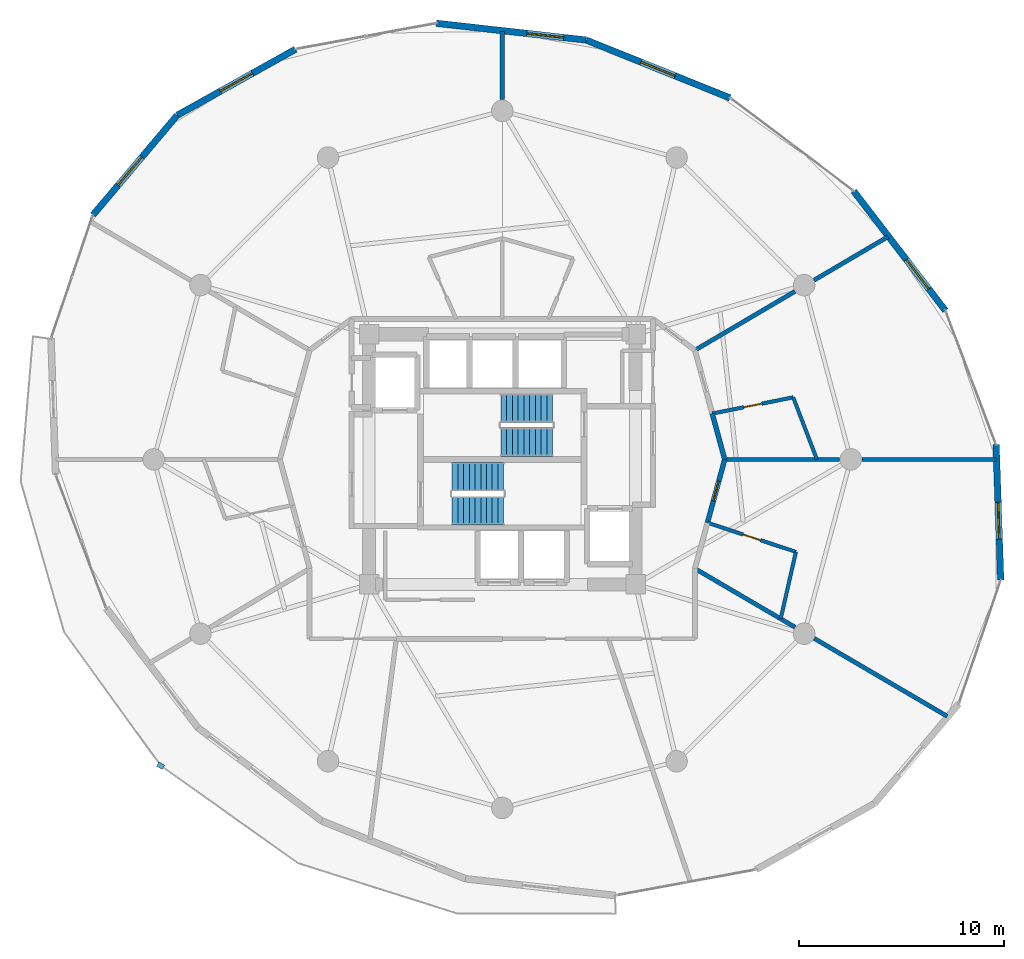
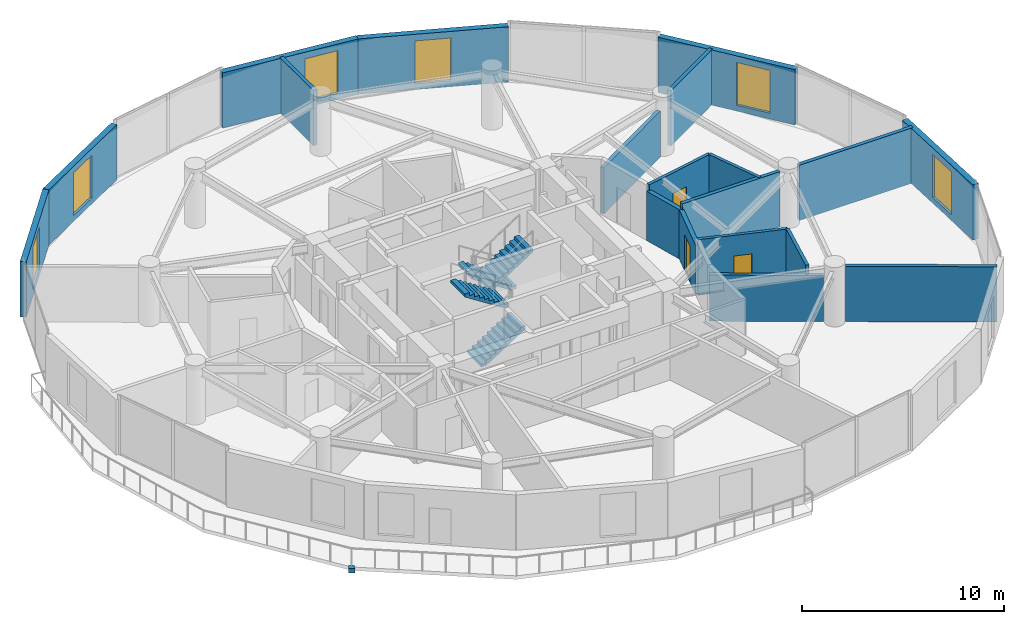
# One storey, part 23 of 25: 19 walls, 6 windows, 4 stair flights, 3 doors, 1 discrete accessory, 9 openings, 2 elements without a shape of their own.
"""IFC4 building model written with IfcOpenShell, lengths in metres."""

from ifc_helpers import new_model, si_unit, direction, frame, frame_2d, origin, origin_2d, place, context, subcontext, project, spatial, polyline, rectangle, outline, extrude, material, layer, layer_set, type_object, element, fill, aggregate, save


model = new_model("IFC4")

# Units and contexts
model_context = context("Model", 3, precision=1e-05, world=origin(), true_north=direction((0.0, 1.0)))
body_context = subcontext(model_context, "Body", "Model", "MODEL_VIEW")
ifc_project = project(units=[si_unit("LENGTHUNIT", "METRE"), si_unit("AREAUNIT", "SQUARE_METRE"), si_unit("VOLUMEUNIT", "CUBIC_METRE"), si_unit("PLANEANGLEUNIT", "RADIAN"), si_unit("MASSUNIT", "GRAM", prefix="KILO")], contexts=[model_context])

# Site, building, storey
site_placement = place(None, origin())
site = spatial("IfcSite", under=ifc_project, at=site_placement, CompositionType="ELEMENT")
building_placement = place(site_placement, origin())
building = spatial("IfcBuilding", under=site, at=building_placement, Name="Solvirekh Grand Hotel", CompositionType="ELEMENT")
storey_placement = place(building_placement, frame((0.0, 0.0, 102.60009765625)))
storey = spatial("IfcBuildingStorey", under=building, at=storey_placement, Name="L25", CompositionType="ELEMENT", Elevation=102.60009765625)

# Wall, opening, window
ifc_material_1 = material(Name="Precast concrete C45/55", Category="concrete")
ifc_layer_1 = layer(ifc_material_1, 0.320068359375)
ifc_layer_set_1 = layer_set([ifc_layer_1], Name="Precast concrete C45/55")
wall_type_1 = type_object("IfcWallType", Name="ExtLobbyWall_RC320", PredefinedType="SOLIDWALL", material=ifc_layer_set_1)
wall_1_placement = place(storey_placement, frame((24.0859375, 0.722900390625, 0.0), z_axis=(0.0, 0.0, 1.0), x_axis=(0.034040106065, -0.999420467661, 0.0)))
wall_1 = element("IfcWall", 1, at=wall_1_placement, inside=storey, type_object=wall_type_1, Name="L25 exterior structural wall chord 2", PredefinedType="SOLIDWALL", context=body_context, shape_type="SweptSolid", body=[
    extrude(rectangle(XDim=6.61279296875, YDim=0.320068359375, at=frame_2d((3.306396484375, 0.0))), origin(), (0.0, 0.0, 1.0), 3.349853515625),
])
opening_1_placement = place(wall_1_placement, frame((2.81689453125, 0.0, 0.35009765625)))
opening_1 = element("IfcOpeningElement", 2, at=opening_1_placement, cuts=wall_1, Name="Opening W02", PredefinedType="OPENING", context=body_context, shape_type="SweptSolid", body=[
    extrude(rectangle(XDim=1.800048828125, YDim=2.60009765625, at=frame_2d((0.89990234375, 1.300048828125))), frame((0.0, 0.169921875, 0.0), z_axis=(0.0, -1.0, 0.0), x_axis=(1.0, 0.0, 0.0)), (0.0, 0.0, 1.0), 0.340087890625),
])
ifc_material_2 = material(Name="Low-E Tinted Bronze Laminated Glass", Category="aluminium")
window_type = type_object("IfcWindowType", Name="Win_LobbyExt_1800X2600", PartitioningType="SINGLE_PANEL", PredefinedType="WINDOW", material=ifc_material_2)
window_1_placement = place(opening_1_placement, origin())
window_1 = element("IfcWindow", 3, at=window_1_placement, inside=storey, type_object=window_type, Name="L25 panoramic bronze-framed window 2", OverallHeight=2.60009765625, OverallWidth=1.800048828125, PartitioningType="SINGLE_PANEL", PredefinedType="WINDOW", context=body_context, shape_type="SweptSolid", body=[
    extrude(rectangle(XDim=1.800048828125, YDim=2.60009765625, at=frame_2d((0.89990234375, 1.300048828125))), frame((0.0, 0.030029296875, 0.0), z_axis=(0.0, -1.0, 0.0), x_axis=(1.0, 0.0, 0.0)), (0.0, 0.0, 1.0), 0.06005859375),
])
fill(opening_1, window_1)

wall_2_placement = place(storey_placement, frame((17.14208984375, 13.089111328125, 0.0), z_axis=(0.0, 0.0, 1.0), x_axis=(0.608831916989, -0.793299247986, 0.0)))
wall_2 = element("IfcWall", 4, at=wall_2_placement, inside=storey, type_object=wall_type_1, Name="L25 exterior structural wall chord 4", PredefinedType="SOLIDWALL", context=body_context, shape_type="SweptSolid", body=[
    extrude(rectangle(XDim=7.3466796875, YDim=0.320068359375, at=frame_2d((3.67333984375, 0.0))), origin(), (0.0, 0.0, 1.0), 3.349853515625),
])
opening_2_placement = place(wall_2_placement, frame((4.215087890625, 0.0, 0.35009765625)))
opening_2 = element("IfcOpeningElement", 5, at=opening_2_placement, cuts=wall_2, Name="Opening W02", PredefinedType="OPENING", context=body_context, shape_type="SweptSolid", body=[
    extrude(rectangle(XDim=1.800048828125, YDim=2.60009765625, at=frame_2d((0.89990234375, 1.300048828125))), frame((0.0, 0.169921875, 0.0), z_axis=(0.0, -1.0, 0.0), x_axis=(1.0, 0.0, 0.0)), (0.0, 0.0, 1.0), 0.340087890625),
])
window_2_placement = place(opening_2_placement, origin())
window_2 = element("IfcWindow", 6, at=window_2_placement, inside=storey, type_object=window_type, Name="L25 panoramic bronze-framed window 4", OverallHeight=2.60009765625, OverallWidth=1.800048828125, PartitioningType="SINGLE_PANEL", PredefinedType="WINDOW", context=body_context, shape_type="SweptSolid", body=[
    extrude(rectangle(XDim=1.800048828125, YDim=2.60009765625, at=frame_2d((0.89990234375, 1.300048828125))), frame((0.0, 0.030029296875, 0.0), z_axis=(0.0, -1.0, 0.0), x_axis=(1.0, 0.0, 0.0)), (0.0, 0.0, 1.0), 0.06005859375),
])
fill(opening_2, window_2)

wall_3_placement = place(storey_placement, frame((4.090087890625, 20.455078125, 0.0), z_axis=(0.0, 0.0, 1.0), x_axis=(0.927795739468, -0.373088549577, 0.0)))
wall_3 = element("IfcWall", 7, at=wall_3_placement, inside=storey, type_object=wall_type_1, Name="L25 exterior structural wall chord 6", PredefinedType="SOLIDWALL", context=body_context, shape_type="SweptSolid", body=[
    extrude(rectangle(XDim=7.55859375, YDim=0.320068359375, at=frame_2d((3.779296875, 0.0))), origin(), (0.0, 0.0, 1.0), 3.349853515625),
])
opening_3_placement = place(wall_3_placement, frame((2.87890625, 0.0, 0.35009765625)))
opening_3 = element("IfcOpeningElement", 8, at=opening_3_placement, cuts=wall_3, Name="Opening W02", PredefinedType="OPENING", context=body_context, shape_type="SweptSolid", body=[
    extrude(rectangle(XDim=1.800048828125, YDim=2.60009765625, at=frame_2d((0.89990234375, 1.300048828125))), frame((0.0, 0.169921875, 0.0), z_axis=(0.0, -1.0, 0.0), x_axis=(1.0, 0.0, 0.0)), (0.0, 0.0, 1.0), 0.340087890625),
])
window_3_placement = place(opening_3_placement, origin())
window_3 = element("IfcWindow", 9, at=window_3_placement, inside=storey, type_object=window_type, Name="L25 panoramic bronze-framed window 6", OverallHeight=2.60009765625, OverallWidth=1.800048828125, PartitioningType="SINGLE_PANEL", PredefinedType="WINDOW", context=body_context, shape_type="SweptSolid", body=[
    extrude(rectangle(XDim=1.800048828125, YDim=2.60009765625, at=frame_2d((0.89990234375, 1.300048828125))), frame((0.0, 0.030029296875, 0.0), z_axis=(0.0, -1.0, 0.0), x_axis=(1.0, 0.0, 0.0)), (0.0, 0.0, 1.0), 0.06005859375),
])
fill(opening_3, window_3)

wall_4_placement = place(storey_placement, frame((-3.2109375, 21.27294921875, 0.0), z_axis=(0.0, 0.0, 1.0), x_axis=(0.993784044115, -0.111325081016, 0.0)))
wall_4 = element("IfcWall", 10, at=wall_4_placement, inside=storey, type_object=wall_type_1, Name="L25 exterior structural wall chord 7", PredefinedType="SOLIDWALL", context=body_context, shape_type="SweptSolid", body=[
    extrude(rectangle(XDim=7.3466796875, YDim=0.320068359375, at=frame_2d((3.67333984375, 0.0))), origin(), (0.0, 0.0, 1.0), 3.349853515625),
])
opening_4_placement = place(wall_4_placement, frame((4.44091796875, 0.0, 0.35009765625)))
opening_4 = element("IfcOpeningElement", 11, at=opening_4_placement, cuts=wall_4, Name="Opening W02", PredefinedType="OPENING", context=body_context, shape_type="SweptSolid", body=[
    extrude(rectangle(XDim=1.800048828125, YDim=2.60009765625, at=frame_2d((0.89990234375, 1.300048828125))), frame((0.0, 0.169921875, 0.0), z_axis=(0.0, -1.0, 0.0), x_axis=(1.0, 0.0, 0.0)), (0.0, 0.0, 1.0), 0.340087890625),
])
window_4_placement = place(opening_4_placement, origin())
window_4 = element("IfcWindow", 12, at=window_4_placement, inside=storey, type_object=window_type, Name="L25 panoramic bronze-framed window 7", OverallHeight=2.60009765625, OverallWidth=1.800048828125, PartitioningType="SINGLE_PANEL", PredefinedType="WINDOW", context=body_context, shape_type="SweptSolid", body=[
    extrude(rectangle(XDim=1.800048828125, YDim=2.60009765625, at=frame_2d((0.89990234375, 1.300048828125))), frame((0.0, 0.030029296875, 0.0), z_axis=(0.0, -1.0, 0.0), x_axis=(1.0, 0.0, 0.0)), (0.0, 0.0, 1.0), 0.06005859375),
])
fill(opening_4, window_4)

wall_5_placement = place(storey_placement, frame((-15.85888671875, 16.784912109375, 0.0), z_axis=(0.0, 0.0, 1.0), x_axis=(0.873166276034, 0.487422459882, 0.0)))
wall_5 = element("IfcWall", 13, at=wall_5_placement, inside=storey, type_object=wall_type_1, Name="L25 exterior structural wall chord 9", PredefinedType="SOLIDWALL", context=body_context, shape_type="SweptSolid", body=[
    extrude(rectangle(XDim=6.612548828125, YDim=0.320068359375, at=frame_2d((3.30615234375, 0.0))), origin(), (0.0, 0.0, 1.0), 3.349853515625),
])
opening_5_placement = place(wall_5_placement, frame((2.406005859375, 0.0, 0.35009765625)))
opening_5 = element("IfcOpeningElement", 14, at=opening_5_placement, cuts=wall_5, Name="Opening W02", PredefinedType="OPENING", context=body_context, shape_type="SweptSolid", body=[
    extrude(rectangle(XDim=1.800048828125, YDim=2.60009765625, at=frame_2d((0.89990234375, 1.300048828125))), frame((0.0, 0.169921875, 0.0), z_axis=(0.0, -1.0, 0.0), x_axis=(1.0, 0.0, 0.0)), (0.0, 0.0, 1.0), 0.340087890625),
])
window_5_placement = place(opening_5_placement, origin())
window_5 = element("IfcWindow", 15, at=window_5_placement, inside=storey, type_object=window_type, Name="L25 panoramic bronze-framed window 9", OverallHeight=2.60009765625, OverallWidth=1.800048828125, PartitioningType="SINGLE_PANEL", PredefinedType="WINDOW", context=body_context, shape_type="SweptSolid", body=[
    extrude(rectangle(XDim=1.800048828125, YDim=2.60009765625, at=frame_2d((0.89990234375, 1.300048828125))), frame((0.0, 0.030029296875, 0.0), z_axis=(0.0, -1.0, 0.0), x_axis=(1.0, 0.0, 0.0)), (0.0, 0.0, 1.0), 0.06005859375),
])
fill(opening_5, window_5)

wall_6_placement = place(storey_placement, frame((-19.968994140625, 11.9189453125, 0.0), z_axis=(0.0, 0.0, 1.0), x_axis=(0.645278763483, 0.763947195425, 0.0)))
wall_6 = element("IfcWall", 16, at=wall_6_placement, inside=storey, type_object=wall_type_1, Name="L25 exterior structural wall chord 10", PredefinedType="SOLIDWALL", context=body_context, shape_type="SweptSolid", body=[
    extrude(rectangle(XDim=6.369384765625, YDim=0.320068359375, at=frame_2d((3.1845703125, 0.0))), origin(), (0.0, 0.0, 1.0), 3.349853515625),
])
opening_6_placement = place(wall_6_placement, frame((1.905029296875, 0.0, 0.35009765625)))
opening_6 = element("IfcOpeningElement", 17, at=opening_6_placement, cuts=wall_6, Name="Opening W02", PredefinedType="OPENING", context=body_context, shape_type="SweptSolid", body=[
    extrude(rectangle(XDim=1.800048828125, YDim=2.60009765625, at=frame_2d((0.89990234375, 1.300048828125))), frame((0.0, 0.169921875, 0.0), z_axis=(0.0, -1.0, 0.0), x_axis=(1.0, 0.0, 0.0)), (0.0, 0.0, 1.0), 0.340087890625),
])
window_6_placement = place(opening_6_placement, origin())
window_6 = element("IfcWindow", 18, at=window_6_placement, inside=storey, type_object=window_type, Name="L25 panoramic bronze-framed window 10", OverallHeight=2.60009765625, OverallWidth=1.800048828125, PartitioningType="SINGLE_PANEL", PredefinedType="WINDOW", context=body_context, shape_type="SweptSolid", body=[
    extrude(rectangle(XDim=1.800048828125, YDim=2.60009765625, at=frame_2d((0.89990234375, 1.300048828125))), frame((0.0, 0.030029296875, 0.0), z_axis=(0.0, -1.0, 0.0), x_axis=(1.0, 0.0, 0.0)), (0.0, 0.0, 1.0), 0.06005859375),
])
fill(opening_6, window_6)

# Wall, opening, door
ifc_material_3 = material(Name="Acoustic Gypsum Partition Assembly")
ifc_layer_2 = layer(ifc_material_3, 0.239990234375)
ifc_layer_set_2 = layer_set([ifc_layer_2], Name="Acoustic Gypsum Partition Assembly")
wall_type_2 = type_object("IfcWallType", Name="Part_Corridor_240", PredefinedType="PARTITIONING", material=ifc_layer_set_2)
wall_7_placement = place(storey_placement, frame((10.007080078125, -3.089111328125, 0.0), z_axis=(0.0, 0.0, 1.0), x_axis=(0.263272237376, 0.964721581093, 0.0)))
wall_7 = element("IfcWall", 19, at=wall_7_placement, inside=storey, type_object=wall_type_2, Name="L25 Deluxe Guestroom 2705 entrance wall", PredefinedType="PARTITIONING", context=body_context, shape_type="SweptSolid", body=[
    extrude(rectangle(XDim=3.2021484375, YDim=0.239990234375, at=frame_2d((1.60107421875, 0.0))), origin(), (0.0, 0.0, 1.0), 2.98486328125),
])
opening_7_placement = place(wall_7_placement, frame((1.10107421875, 0.0, 0.0)))
opening_7 = element("IfcOpeningElement", 20, at=opening_7_placement, cuts=wall_7, Name="Opening D07", PredefinedType="OPENING", context=body_context, shape_type="SweptSolid", body=[
    extrude(rectangle(XDim=1.0, YDim=2.199951171875, at=frame_2d((0.5, 1.10009765625))), frame((0.0, 0.1298828125, 0.0), z_axis=(0.0, -1.0, 0.0), x_axis=(1.0, 0.0, 0.0)), (0.0, 0.0, 1.0), 0.260009765625),
])
ifc_material_4 = material(Name="Fire-Rated Steel Door Assembly", Category="steel")
door_type_1 = type_object("IfcDoorType", Name="Door_GuestEntry_1000X2200", OperationType="NOTDEFINED", PredefinedType="DOOR", material=ifc_material_4)
door_1_placement = place(opening_7_placement, origin())
door_1 = element("IfcDoor", 21, at=door_1_placement, inside=storey, type_object=door_type_1, Name="L25 Deluxe Guestroom 2705 entrance door", OperationType="SINGLE_SWING_RIGHT", OverallHeight=2.199951171875, OverallWidth=1.0, PredefinedType="DOOR", context=body_context, shape_type="SweptSolid", body=[
    extrude(rectangle(XDim=1.0, YDim=2.199951171875, at=frame_2d((0.5, 1.10009765625))), frame((0.0, 0.02490234375, 0.0), z_axis=(0.0, -1.0, 0.0), x_axis=(1.0, 0.0, 0.0)), (0.0, 0.0, 1.0), 0.050048828125),
])
fill(opening_7, door_1)

# Walls
wall_8_placement = place(storey_placement, frame((10.85009765625, 0.0, 0.0), z_axis=(0.0, 0.0, 1.0), x_axis=(-0.263616426241, 0.964627586074, 0.0)))
element("IfcWall", 22, at=wall_8_placement, inside=storey, type_object=wall_type_2, Name="L25 En-suite Bathroom 2706 corridor backing wall", PredefinedType="PARTITIONING", context=body_context, shape_type="SweptSolid", body=[
    extrude(rectangle(XDim=2.318115234375, YDim=0.239990234375, at=frame_2d((1.1591796875, 0.0))), origin(), (0.0, 0.0, 1.0), 2.98486328125),
])
ifc_layer_3 = layer(ifc_material_3, 0.2099609375)
ifc_layer_set_3 = layer_set([ifc_layer_3], Name="Acoustic Gypsum Partition Assembly")
wall_type_3 = type_object("IfcWallType", Name="Part_SuiteDemise_210", PredefinedType="PARTITIONING", material=ifc_layer_set_3)
wall_9_placement = place(storey_placement, frame((10.85009765625, 0.0, 0.0), z_axis=(0.0, 0.0, 1.0), x_axis=(1.0, 0.0, 0.0)))
element("IfcWall", 23, at=wall_9_placement, inside=storey, type_object=wall_type_3, Name="L25 suite radial wall 1 (A)", PredefinedType="PARTITIONING", context=body_context, shape_type="SweptSolid", body=[
    extrude(rectangle(XDim=5.60498046875, YDim=0.2099609375, at=frame_2d((2.802490234375, 0.0))), origin(), (0.0, 0.0, 1.0), 3.349853515625),
])
wall_10_placement = place(storey_placement, frame((17.544921875, 0.0, 0.0), z_axis=(0.0, 0.0, 1.0), x_axis=(1.0, 0.0, 0.0)))
element("IfcWall", 24, at=wall_10_placement, inside=storey, type_object=wall_type_3, Name="L25 suite radial wall 1 (B)", PredefinedType="PARTITIONING", context=body_context, shape_type="SweptSolid", body=[
    extrude(rectangle(XDim=6.526123046875, YDim=0.2099609375, at=frame_2d((3.26318359375, 0.0))), origin(), (0.0, 0.0, 1.0), 3.349853515625),
])
wall_11_placement = place(storey_placement, frame((9.39599609375, 5.324951171875, 0.0), z_axis=(0.0, 0.0, 1.0), x_axis=(0.862032950085, 0.506852239778, 0.0)))
element("IfcWall", 25, at=wall_11_placement, inside=storey, type_object=wall_type_3, Name="L25 suite radial wall 2 (A)", PredefinedType="PARTITIONING", context=body_context, shape_type="SweptSolid", body=[
    extrude(rectangle(XDim=5.65625, YDim=0.2099609375, at=frame_2d((2.828125, 0.0))), origin(), (0.0, 0.0, 1.0), 2.791015625),
])
wall_12_placement = place(storey_placement, frame((15.2099609375, 8.742919921875, 0.0), z_axis=(0.0, 0.0, 1.0), x_axis=(0.862004936616, 0.506899880894, 0.0)))
element("IfcWall", 26, at=wall_12_placement, inside=storey, type_object=wall_type_3, Name="L25 suite radial wall 2 (B)", PredefinedType="PARTITIONING", context=body_context, shape_type="SweptSolid", body=[
    extrude(rectangle(XDim=4.17041015625, YDim=0.2099609375, at=frame_2d((2.085205078125, 0.0))), origin(), (0.0, 0.0, 1.0), 3.349853515625),
])
wall_13_placement = place(storey_placement, frame((9.39599609375, -5.324951171875, 0.0), z_axis=(0.0, 0.0, 1.0), x_axis=(0.862912125579, -0.505353998232, 0.0)))
element("IfcWall", 27, at=wall_13_placement, inside=storey, type_object=wall_type_3, Name="L25 suite radial wall 12 (A)", PredefinedType="PARTITIONING", context=body_context, shape_type="SweptSolid", body=[
    extrude(rectangle(XDim=5.65771484375, YDim=0.2099609375, at=frame_2d((2.828857421875, 0.0))), origin(), (0.0, 0.0, 1.0), 2.791015625),
])
wall_14_placement = place(storey_placement, frame((15.215087890625, -8.73193359375, 0.0), z_axis=(0.0, 0.0, 1.0), x_axis=(0.862960241997, -0.505271828556, 0.0)))
element("IfcWall", 28, at=wall_14_placement, inside=storey, type_object=wall_type_3, Name="L25 suite radial wall 12 (B)", PredefinedType="PARTITIONING", context=body_context, shape_type="SweptSolid", body=[
    extrude(rectangle(XDim=7.516845703125, YDim=0.2099609375, at=frame_2d((3.75830078125, 0.0))), origin(), (0.0, 0.0, 1.0), 3.349853515625),
])
wall_15_placement = place(storey_placement, frame((0.0, 17.544921875, 0.0), z_axis=(0.0, 0.0, 1.0), x_axis=(0.0, 1.0, 0.0)))
element("IfcWall", 29, at=wall_15_placement, inside=storey, type_object=wall_type_3, Name="L25 Panorama Suite 2701 dividing partition 1 (B)", PredefinedType="PARTITIONING", context=body_context, shape_type="SweptSolid", body=[
    extrude(rectangle(XDim=3.328125, YDim=0.2099609375, at=frame_2d((1.6640625, 0.0))), origin(), (0.0, 0.0, 1.0), 3.349853515625),
])
ifc_layer_4 = layer(ifc_material_3, 0.175048828125)
ifc_layer_set_4 = layer_set([ifc_layer_4], Name="Acoustic Gypsum Partition Assembly")
wall_type_4 = type_object("IfcWallType", Name="Plumb_Ensuite_175", PredefinedType="PLUMBINGWALL", material=ifc_layer_set_4)
wall_16_placement = place(storey_placement, frame((13.580078125, -7.77490234375, 0.0), z_axis=(0.0, 0.0, 1.0), x_axis=(0.221599041774, 0.975137869578, 0.0)))
element("IfcWall", 30, at=wall_16_placement, inside=storey, type_object=wall_type_4, Name="L25 En-suite Bathroom 2705 outer plumbing wall", PredefinedType="PLUMBINGWALL", context=body_context, shape_type="SweptSolid", body=[
    extrude(rectangle(XDim=3.34814453125, YDim=0.175048828125, at=frame_2d((1.674072265625, 0.0))), origin(), (0.0, 0.0, 1.0), 3.349853515625),
])

# Wall, opening, door
wall_17_placement = place(storey_placement, frame((10.007080078125, -3.089111328125, 0.0), z_axis=(0.0, 0.0, 1.0), x_axis=(0.949827092004, -0.312775471057, 0.0)))
wall_17 = element("IfcWall", 31, at=wall_17_placement, inside=storey, type_object=wall_type_4, Name="L25 En-suite Bathroom 2705 entry plumbing wall", PredefinedType="PLUMBINGWALL", context=body_context, shape_type="SweptSolid", body=[
    extrude(rectangle(XDim=4.54296875, YDim=0.175048828125, at=frame_2d((2.271484375, 0.0))), origin(), (0.0, 0.0, 1.0), 3.349853515625),
])
opening_8_placement = place(wall_17_placement, frame((1.821044921875, 0.0, 0.0)))
opening_8 = element("IfcOpeningElement", 32, at=opening_8_placement, cuts=wall_17, Name="Opening D09", PredefinedType="OPENING", context=body_context, shape_type="SweptSolid", body=[
    extrude(rectangle(XDim=0.89990234375, YDim=2.10009765625, at=frame_2d((0.449951171875, 1.050048828125))), frame((0.0, 0.09765625, 0.0), z_axis=(0.0, -1.0, 0.0), x_axis=(1.0, 0.0, 0.0)), (0.0, 0.0, 1.0), 0.195068359375),
])
ifc_material_5 = material(Name="Anodized Bronze Aluminium 6063-T6", Category="aluminium")
door_type_2 = type_object("IfcDoorType", Name="Door_Ensuite_900X2100", OperationType="NOTDEFINED", PredefinedType="DOOR", material=ifc_material_5)
door_2_placement = place(opening_8_placement, origin())
door_2 = element("IfcDoor", 33, at=door_2_placement, inside=storey, type_object=door_type_2, Name="L25 En-suite Bathroom 2705 door", OperationType="SINGLE_SWING_LEFT", OverallHeight=2.10009765625, OverallWidth=0.89990234375, PredefinedType="DOOR", context=body_context, shape_type="SweptSolid", body=[
    extrude(rectangle(XDim=0.89990234375, YDim=2.10009765625, at=frame_2d((0.449951171875, 1.050048828125))), frame((0.0, 0.02490234375, 0.0), z_axis=(0.0, -1.0, 0.0), x_axis=(1.0, 0.0, 0.0)), (0.0, 0.0, 1.0), 0.050048828125),
])
fill(opening_8, door_2)

# Wall
wall_18_placement = place(storey_placement, frame((15.344970703125, 0.0, 0.0), z_axis=(0.0, 0.0, 1.0), x_axis=(-0.35661902988, 0.934249895653, 0.0)))
element("IfcWall", 34, at=wall_18_placement, inside=storey, type_object=wall_type_4, Name="L25 En-suite Bathroom 2706 outer plumbing wall", PredefinedType="PLUMBINGWALL", context=body_context, shape_type="SweptSolid", body=[
    extrude(rectangle(XDim=3.23876953125, YDim=0.175048828125, at=frame_2d((1.619384765625, 0.0))), origin(), (0.0, 0.0, 1.0), 3.349853515625),
])

# Wall, opening, door
wall_19_placement = place(storey_placement, frame((10.239013671875, 2.236083984375, 0.0), z_axis=(0.0, 0.0, 1.0), x_axis=(0.980599315693, 0.196022912085, 0.0)))
wall_19 = element("IfcWall", 35, at=wall_19_placement, inside=storey, type_object=wall_type_4, Name="L25 En-suite Bathroom 2706 entry plumbing wall", PredefinedType="PLUMBINGWALL", context=body_context, shape_type="SweptSolid", body=[
    extrude(rectangle(XDim=4.029052734375, YDim=0.175048828125, at=frame_2d((2.0146484375, 0.0))), origin(), (0.0, 0.0, 1.0), 3.349853515625),
])
opening_9_placement = place(wall_19_placement, frame((1.56494140625, 0.0, 0.0)))
opening_9 = element("IfcOpeningElement", 36, at=opening_9_placement, cuts=wall_19, Name="Opening D09", PredefinedType="OPENING", context=body_context, shape_type="SweptSolid", body=[
    extrude(rectangle(XDim=0.89990234375, YDim=2.10009765625, at=frame_2d((0.449951171875, 1.050048828125))), frame((0.0, 0.09765625, 0.0), z_axis=(0.0, -1.0, 0.0), x_axis=(1.0, 0.0, 0.0)), (0.0, 0.0, 1.0), 0.195068359375),
])
door_3_placement = place(opening_9_placement, origin())
door_3 = element("IfcDoor", 37, at=door_3_placement, inside=storey, type_object=door_type_2, Name="L25 En-suite Bathroom 2706 door", OperationType="SINGLE_SWING_LEFT", OverallHeight=2.10009765625, OverallWidth=0.89990234375, PredefinedType="DOOR", context=body_context, shape_type="SweptSolid", body=[
    extrude(rectangle(XDim=0.89990234375, YDim=2.10009765625, at=frame_2d((0.449951171875, 1.050048828125))), frame((0.0, 0.02490234375, 0.0), z_axis=(0.0, -1.0, 0.0), x_axis=(1.0, 0.0, 0.0)), (0.0, 0.0, 1.0), 0.050048828125),
])
fill(opening_9, door_3)

# Stair, stair flights
ifc_material_6 = material(Name="Concrete C40/50", Category="concrete")
stair_type = type_object("IfcStairType", Name="Stair_Core_1450", PredefinedType="HALF_TURN_STAIR", material=ifc_material_6)
stair_1_placement = place(storey_placement, origin())
stair_1 = element("IfcStair", 38, at=stair_1_placement, inside=storey, type_object=stair_type, Name="L25 Enclosed exit stair ST-1", PredefinedType="HALF_TURN_STAIR")
stair_flight_type = type_object("IfcStairFlightType", Name="Flight_Core_1450", PredefinedType="STRAIGHT", material=ifc_material_6)
stair_flight_1_placement = place(storey_placement, frame((-2.449951171875, -2.5, 0.0), z_axis=(0.0, 0.0, 1.0), x_axis=(1.0, 0.0, 0.0)))
stair_flight_1 = element("IfcStairFlight", 39, at=stair_flight_1_placement, type_object=stair_flight_type, Name="ST-1 flight 1", NumberOfRisers=10, NumberOfTreads=9, PredefinedType="STRAIGHT", RiserHeight=0.18, TreadLength=0.28, context=body_context, shape_type="SweptSolid", body=[
    extrude(outline(polyline([(0.0, 0.0), (0.0, 0.179931640625), (0.280029296875, 0.179931640625), (0.280029296875, 0.360107421875), (0.56005859375, 0.360107421875), (0.56005859375, 0.5400390625), (0.840087890625, 0.5400390625), (0.840087890625, 0.719970703125), (1.1201171875, 0.719970703125), (1.1201171875, 0.89990234375), (1.39990234375, 0.89990234375), (1.39990234375, 1.080078125), (1.679931640625, 1.080078125), (1.679931640625, 1.260009765625), (1.9599609375, 1.260009765625), (1.9599609375, 1.43994140625), (2.239990234375, 1.43994140625), (2.239990234375, 1.6201171875), (2.52001953125, 1.6201171875), (2.52001953125, 1.800048828125), (2.52001953125, 1.44189453125), (0.277099609375, 0.0), (0.0, 0.0)])), frame((0.0, 0.699951171875, 0.0), z_axis=(0.0, -1.0, 0.0), x_axis=(1.0, 0.0, 0.0)), (0.0, 0.0, 1.0), 1.39990234375),
])
stair_flight_2_placement = place(storey_placement, frame((0.070068359375, -0.85009765625, 1.7998046875), z_axis=(0.0, 0.0, 1.0), x_axis=(-1.0, 0.0, 0.0)))
stair_flight_2 = element("IfcStairFlight", 40, at=stair_flight_2_placement, type_object=stair_flight_type, Name="ST-1 flight 2", NumberOfRisers=10, NumberOfTreads=9, PredefinedType="STRAIGHT", RiserHeight=0.18, TreadLength=0.28, context=body_context, shape_type="SweptSolid", body=[
    extrude(outline(polyline([(0.0, 0.0), (0.0, 0.179931640625), (0.280029296875, 0.179931640625), (0.280029296875, 0.360107421875), (0.56005859375, 0.360107421875), (0.56005859375, 0.5400390625), (0.840087890625, 0.5400390625), (0.840087890625, 0.719970703125), (1.1201171875, 0.719970703125), (1.1201171875, 0.89990234375), (1.39990234375, 0.89990234375), (1.39990234375, 1.080078125), (1.679931640625, 1.080078125), (1.679931640625, 1.260009765625), (1.9599609375, 1.260009765625), (1.9599609375, 1.43994140625), (2.239990234375, 1.43994140625), (2.239990234375, 1.6201171875), (2.52001953125, 1.6201171875), (2.52001953125, 1.800048828125), (2.52001953125, 1.44189453125), (0.277099609375, 0.0), (0.0, 0.0)])), frame((0.0, 0.699951171875, 0.0), z_axis=(0.0, -1.0, 0.0), x_axis=(1.0, 0.0, 0.0)), (0.0, 0.0, 1.0), 1.39990234375),
])
aggregate(stair_1, [stair_flight_1, stair_flight_2])

stair_2_placement = place(storey_placement, origin())
stair_2 = element("IfcStair", 41, at=stair_2_placement, inside=storey, type_object=stair_type, Name="L25 Enclosed exit stair ST-2", PredefinedType="HALF_TURN_STAIR")
stair_flight_3_placement = place(storey_placement, frame((2.449951171875, 2.5, 0.0), z_axis=(0.0, 0.0, 1.0), x_axis=(-1.0, 0.0, 0.0)))
stair_flight_3 = element("IfcStairFlight", 42, at=stair_flight_3_placement, type_object=stair_flight_type, Name="ST-2 flight 1", NumberOfRisers=10, NumberOfTreads=9, PredefinedType="STRAIGHT", RiserHeight=0.18, TreadLength=0.28, context=body_context, shape_type="SweptSolid", body=[
    extrude(outline(polyline([(0.0, 0.0), (0.0, 0.179931640625), (0.280029296875, 0.179931640625), (0.280029296875, 0.360107421875), (0.56005859375, 0.360107421875), (0.56005859375, 0.5400390625), (0.840087890625, 0.5400390625), (0.840087890625, 0.719970703125), (1.1201171875, 0.719970703125), (1.1201171875, 0.89990234375), (1.39990234375, 0.89990234375), (1.39990234375, 1.080078125), (1.679931640625, 1.080078125), (1.679931640625, 1.260009765625), (1.9599609375, 1.260009765625), (1.9599609375, 1.43994140625), (2.239990234375, 1.43994140625), (2.239990234375, 1.6201171875), (2.52001953125, 1.6201171875), (2.52001953125, 1.800048828125), (2.52001953125, 1.44189453125), (0.277099609375, 0.0), (0.0, 0.0)])), frame((0.0, 0.699951171875, 0.0), z_axis=(0.0, -1.0, 0.0), x_axis=(1.0, 0.0, 0.0)), (0.0, 0.0, 1.0), 1.39990234375),
])
stair_flight_4_placement = place(storey_placement, frame((-0.070068359375, 0.85009765625, 1.7998046875), z_axis=(0.0, 0.0, 1.0), x_axis=(1.0, 0.0, 0.0)))
stair_flight_4 = element("IfcStairFlight", 43, at=stair_flight_4_placement, type_object=stair_flight_type, Name="ST-2 flight 2", NumberOfRisers=10, NumberOfTreads=9, PredefinedType="STRAIGHT", RiserHeight=0.18, TreadLength=0.28, context=body_context, shape_type="SweptSolid", body=[
    extrude(outline(polyline([(0.0, 0.0), (0.0, 0.179931640625), (0.280029296875, 0.179931640625), (0.280029296875, 0.360107421875), (0.56005859375, 0.360107421875), (0.56005859375, 0.5400390625), (0.840087890625, 0.5400390625), (0.840087890625, 0.719970703125), (1.1201171875, 0.719970703125), (1.1201171875, 0.89990234375), (1.39990234375, 0.89990234375), (1.39990234375, 1.080078125), (1.679931640625, 1.080078125), (1.679931640625, 1.260009765625), (1.9599609375, 1.260009765625), (1.9599609375, 1.43994140625), (2.239990234375, 1.43994140625), (2.239990234375, 1.6201171875), (2.52001953125, 1.6201171875), (2.52001953125, 1.800048828125), (2.52001953125, 1.44189453125), (0.277099609375, 0.0), (0.0, 0.0)])), frame((0.0, 0.699951171875, 0.0), z_axis=(0.0, -1.0, 0.0), x_axis=(1.0, 0.0, 0.0)), (0.0, 0.0, 1.0), 1.39990234375),
])
aggregate(stair_2, [stair_flight_3, stair_flight_4])

# Discrete accessory
ifc_material_7 = material(Name="Steel S355", Category="steel")
discrete_accessory_type = type_object("IfcDiscreteAccessoryType", Name="Acc_ThermalBracket", PredefinedType="BRACKET", material=ifc_material_7)
discrete_accessory_placement = place(storey_placement, frame((-16.66796875, -14.93896484375, -0.2802734375), z_axis=(0.0, 0.0, 1.0), x_axis=(0.87121381112, -0.490903753615, 0.0)))
element("IfcDiscreteAccessory", 44, at=discrete_accessory_placement, inside=storey, type_object=discrete_accessory_type, Name="L25 balcony thermal-break bracket", PredefinedType="BRACKET", context=body_context, shape_type="SweptSolid", body=[
    extrude(rectangle(XDim=0.320068359375, YDim=0.239990234375, at=origin_2d()), origin(), (0.0, 0.0, 1.0), 0.280029296875),
])

save(model, "model.ifc")
